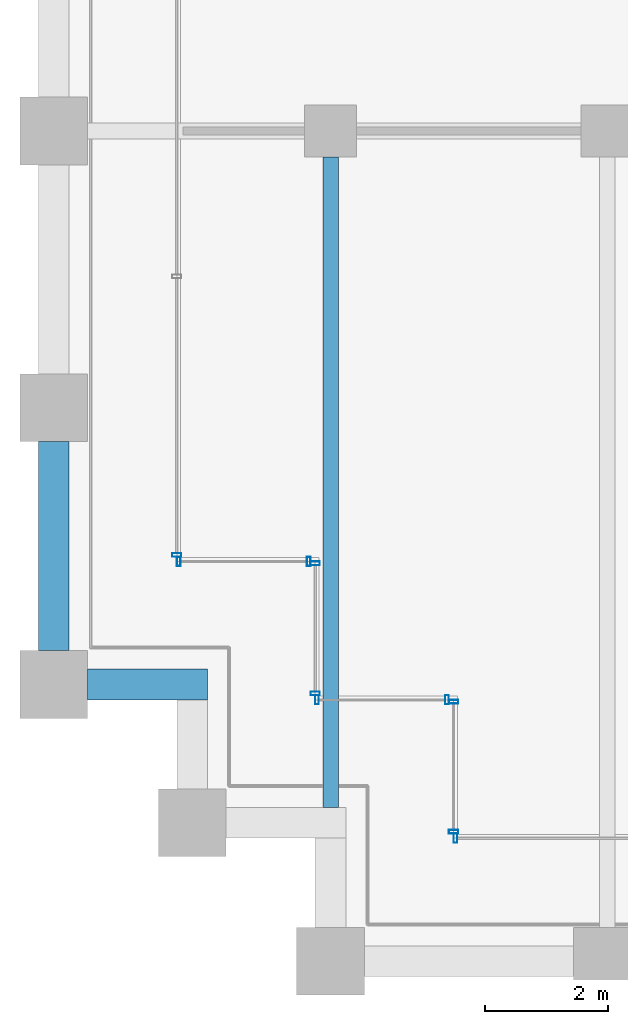
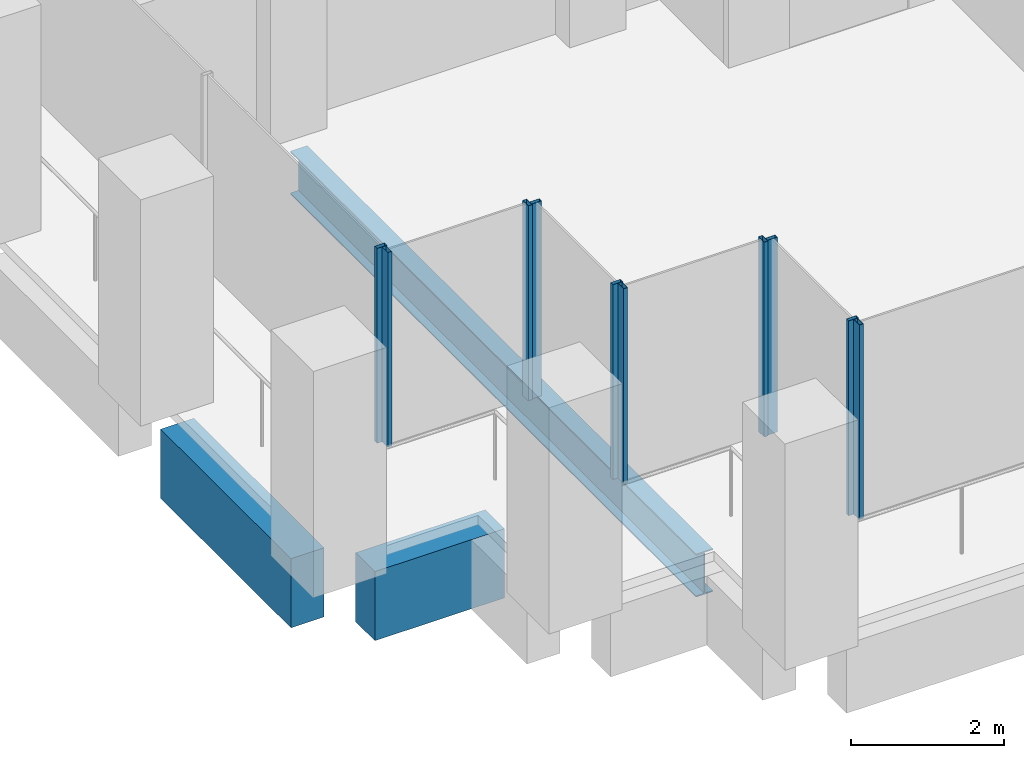
# One storey, part 2 of 56: 10 members, 3 beams, 6 elements without a shape of their own.
"""IFC4 building model written with IfcOpenShell, lengths in metres."""

from ifc_helpers import new_model, si_unit, direction, frame, origin, origin_2d, place, context, subcontext, project, spatial, rectangle, hollow_rectangle, i_section, extrude, material, material_profile, profile_set, type_object, element, aggregate, save


model = new_model("IFC4")

# Units and contexts
model_context = context("Model", 3, precision=1e-05, world=origin(), true_north=direction((0.0, 1.0)))
body_context = subcontext(model_context, "Body", "Model", "MODEL_VIEW")
ifc_project = project(units=[si_unit("LENGTHUNIT", "METRE"), si_unit("AREAUNIT", "SQUARE_METRE"), si_unit("VOLUMEUNIT", "CUBIC_METRE"), si_unit("PLANEANGLEUNIT", "RADIAN"), si_unit("MASSUNIT", "GRAM", prefix="KILO")], contexts=[model_context])

# Site, building, storey
site_placement = place(None, origin())
site = spatial("IfcSite", under=ifc_project, at=site_placement, CompositionType="ELEMENT")
building_placement = place(site_placement, origin())
building = spatial("IfcBuilding", under=site, at=building_placement, Name="Altepetl Exchange Towers", CompositionType="ELEMENT")
storey_placement = place(building_placement, frame((0.0, 0.0, 72.60009765625)))
storey = spatial("IfcBuildingStorey", under=building, at=storey_placement, Name="L17", CompositionType="ELEMENT", Elevation=72.60009765625)

# Beam
ifc_material_1 = material(Name="Steel S355", Category="steel")
ifc_material_profile_1 = material_profile(ifc_material_1, i_section(OverallWidth=0.25390625, OverallDepth=0.68408203125, WebThickness=0.012451171875, FlangeThickness=0.018798828125, at=origin_2d()), Name="W27X94")
ifc_profile_set_1 = profile_set([ifc_material_profile_1], Name="Steel S355")
beam_type_1 = type_object("IfcBeamType", Name="Floor beam W27X94", PredefinedType="BEAM", material=ifc_profile_set_1)
beam_1_placement = place(storey_placement, frame((31.5, 29.5, -0.4921875), z_axis=(0.0, 1.0, 0.0), x_axis=(-1.0, 0.0, 0.0)))
element("IfcBeam", 1, at=beam_1_placement, inside=storey, type_object=beam_type_1, Name="bm:A:L17:012", PredefinedType="BEAM", context=body_context, shape_type="SweptSolid", body=[
    extrude(i_section(OverallWidth=0.25390625, OverallDepth=0.68408203125, WebThickness=0.012451171875, FlangeThickness=0.018798828125, at=origin_2d()), origin(), (0.0, 0.0, 1.0), 10.574951171875),
])

# Curtain wall, member
ifc_material_2 = material(Name="Aluminium 6063-T6 glazing", Category="aluminium")
curtain_wall_type = type_object("IfcCurtainWallType", Name="Loggia glazing system", PredefinedType="NOTDEFINED", material=ifc_material_2)
curtain_wall_1_placement = place(storey_placement, origin())
curtain_wall_1 = element("IfcCurtainWall", 2, at=curtain_wall_1_placement, inside=storey, type_object=curtain_wall_type, Name="CW1 run", PredefinedType="NOTDEFINED")
ifc_material_3 = material(Name="Aluminium 6063-T6", Category="aluminium")
ifc_material_profile_2 = material_profile(ifc_material_3, hollow_rectangle(XDim=0.06005859375, YDim=0.14990234375, WallThickness=0.0029296875, at=origin_2d()), Name="Mullion 60x150 aluminium")
ifc_profile_set_2 = profile_set([ifc_material_profile_2], Name="Aluminium 6063-T6")
member_type = type_object("IfcMemberType", Name="Mullion 60x150 aluminium", PredefinedType="MULLION", material=ifc_profile_set_2)
member_1_placement = place(storey_placement, frame((29.0, 33.60498046875, 0.0), z_axis=(0.0, 0.0, 1.0), x_axis=(0.0, -1.0, 0.0)))
member_1 = element("IfcMember", 3, at=member_1_placement, type_object=member_type, Name="MU1 mullion", PredefinedType="MULLION", context=body_context, shape_type="SweptSolid", body=[
    extrude(hollow_rectangle(XDim=0.06005859375, YDim=0.14990234375, WallThickness=0.0029296875, at=origin_2d()), origin(), (0.0, 0.0, 1.0), 3.099853515625),
])
aggregate(curtain_wall_1, [member_1])

# Curtain wall, members
curtain_wall_2_placement = place(storey_placement, origin())
curtain_wall_2 = element("IfcCurtainWall", 4, at=curtain_wall_2_placement, inside=storey, type_object=curtain_wall_type, Name="CW1 run", PredefinedType="NOTDEFINED")
member_2_placement = place(storey_placement, frame((29.030029296875, 33.5, 0.0)))
member_2 = element("IfcMember", 5, at=member_2_placement, type_object=member_type, Name="MU1 mullion", PredefinedType="MULLION", context=body_context, shape_type="SweptSolid", body=[
    extrude(hollow_rectangle(XDim=0.06005859375, YDim=0.14990234375, WallThickness=0.0029296875, at=origin_2d()), origin(), (0.0, 0.0, 1.0), 3.099853515625),
])
member_3_placement = place(storey_placement, frame((31.14501953125, 33.5, 0.0)))
member_3 = element("IfcMember", 6, at=member_3_placement, type_object=member_type, Name="MU1 mullion", PredefinedType="MULLION", context=body_context, shape_type="SweptSolid", body=[
    extrude(hollow_rectangle(XDim=0.06005859375, YDim=0.14990234375, WallThickness=0.0029296875, at=origin_2d()), origin(), (0.0, 0.0, 1.0), 3.099853515625),
])
aggregate(curtain_wall_2, [member_2, member_3])

curtain_wall_3_placement = place(storey_placement, origin())
curtain_wall_3 = element("IfcCurtainWall", 7, at=curtain_wall_3_placement, inside=storey, type_object=curtain_wall_type, Name="CW1 run", PredefinedType="NOTDEFINED")
member_4_placement = place(storey_placement, frame((31.25, 33.469970703125, 0.0), z_axis=(0.0, 0.0, 1.0), x_axis=(0.0, -1.0, 0.0)))
member_4 = element("IfcMember", 8, at=member_4_placement, type_object=member_type, Name="MU1 mullion", PredefinedType="MULLION", context=body_context, shape_type="SweptSolid", body=[
    extrude(hollow_rectangle(XDim=0.06005859375, YDim=0.14990234375, WallThickness=0.0029296875, at=origin_2d()), origin(), (0.0, 0.0, 1.0), 3.099853515625),
])
member_5_placement = place(storey_placement, frame((31.25, 31.35498046875, 0.0), z_axis=(0.0, 0.0, 1.0), x_axis=(0.0, -1.0, 0.0)))
member_5 = element("IfcMember", 9, at=member_5_placement, type_object=member_type, Name="MU1 mullion", PredefinedType="MULLION", context=body_context, shape_type="SweptSolid", body=[
    extrude(hollow_rectangle(XDim=0.06005859375, YDim=0.14990234375, WallThickness=0.0029296875, at=origin_2d()), origin(), (0.0, 0.0, 1.0), 3.099853515625),
])
aggregate(curtain_wall_3, [member_4, member_5])

curtain_wall_4_placement = place(storey_placement, origin())
curtain_wall_4 = element("IfcCurtainWall", 10, at=curtain_wall_4_placement, inside=storey, type_object=curtain_wall_type, Name="CW1 run", PredefinedType="NOTDEFINED")
member_6_placement = place(storey_placement, frame((31.280029296875, 31.25, 0.0)))
member_6 = element("IfcMember", 11, at=member_6_placement, type_object=member_type, Name="MU1 mullion", PredefinedType="MULLION", context=body_context, shape_type="SweptSolid", body=[
    extrude(hollow_rectangle(XDim=0.06005859375, YDim=0.14990234375, WallThickness=0.0029296875, at=origin_2d()), origin(), (0.0, 0.0, 1.0), 3.099853515625),
])
member_7_placement = place(storey_placement, frame((33.39501953125, 31.25, 0.0)))
member_7 = element("IfcMember", 12, at=member_7_placement, type_object=member_type, Name="MU1 mullion", PredefinedType="MULLION", context=body_context, shape_type="SweptSolid", body=[
    extrude(hollow_rectangle(XDim=0.06005859375, YDim=0.14990234375, WallThickness=0.0029296875, at=origin_2d()), origin(), (0.0, 0.0, 1.0), 3.099853515625),
])
aggregate(curtain_wall_4, [member_6, member_7])

curtain_wall_5_placement = place(storey_placement, origin())
curtain_wall_5 = element("IfcCurtainWall", 13, at=curtain_wall_5_placement, inside=storey, type_object=curtain_wall_type, Name="CW1 run", PredefinedType="NOTDEFINED")
member_8_placement = place(storey_placement, frame((33.5, 31.219970703125, 0.0), z_axis=(0.0, 0.0, 1.0), x_axis=(0.0, -1.0, 0.0)))
member_8 = element("IfcMember", 14, at=member_8_placement, type_object=member_type, Name="MU1 mullion", PredefinedType="MULLION", context=body_context, shape_type="SweptSolid", body=[
    extrude(hollow_rectangle(XDim=0.06005859375, YDim=0.14990234375, WallThickness=0.0029296875, at=origin_2d()), origin(), (0.0, 0.0, 1.0), 3.099853515625),
])
member_9_placement = place(storey_placement, frame((33.5, 29.10498046875, 0.0), z_axis=(0.0, 0.0, 1.0), x_axis=(0.0, -1.0, 0.0)))
member_9 = element("IfcMember", 15, at=member_9_placement, type_object=member_type, Name="MU1 mullion", PredefinedType="MULLION", context=body_context, shape_type="SweptSolid", body=[
    extrude(hollow_rectangle(XDim=0.06005859375, YDim=0.14990234375, WallThickness=0.0029296875, at=origin_2d()), origin(), (0.0, 0.0, 1.0), 3.099853515625),
])
aggregate(curtain_wall_5, [member_8, member_9])

# Curtain wall, member
curtain_wall_6_placement = place(storey_placement, origin())
curtain_wall_6 = element("IfcCurtainWall", 16, at=curtain_wall_6_placement, inside=storey, type_object=curtain_wall_type, Name="CW1 run", PredefinedType="NOTDEFINED")
member_10_placement = place(storey_placement, frame((33.530029296875, 29.0, 0.0)))
member_10 = element("IfcMember", 17, at=member_10_placement, type_object=member_type, Name="MU1 mullion", PredefinedType="MULLION", context=body_context, shape_type="SweptSolid", body=[
    extrude(hollow_rectangle(XDim=0.06005859375, YDim=0.14990234375, WallThickness=0.0029296875, at=origin_2d()), origin(), (0.0, 0.0, 1.0), 3.099853515625),
])
aggregate(curtain_wall_6, [member_10])

# Beams
ifc_material_4 = material(Name="Concrete C50/60 precast with cantera blanca facing", Category="concrete")
ifc_material_profile_3 = material_profile(ifc_material_4, rectangle(XDim=0.5, YDim=1.10009765625, at=origin_2d()), Name="500 x 1100")
ifc_profile_set_3 = profile_set([ifc_material_profile_3], Name="Concrete C50/60 precast with cantera blanca facing")
beam_type_2 = type_object("IfcBeamType", Name="Spandrel beam 500x1100 cantera blanca", PredefinedType="SPANDREL", material=ifc_profile_set_3)
beam_2_placement = place(storey_placement, frame((27.0, 35.449951171875, -0.7001953125), z_axis=(0.0, -1.0, 0.0), x_axis=(1.0, 0.0, 0.0)))
element("IfcBeam", 18, at=beam_2_placement, inside=storey, type_object=beam_type_2, Name="sp:A:L17:043", PredefinedType="SPANDREL", context=body_context, shape_type="SweptSolid", body=[
    extrude(rectangle(XDim=0.5, YDim=1.10009765625, at=origin_2d()), origin(), (0.0, 0.0, 1.0), 3.39990234375),
])
beam_3_placement = place(storey_placement, frame((27.550048828125, 31.5, -0.7001953125), z_axis=(1.0, 0.0, 0.0), x_axis=(0.0, 1.0, 0.0)))
element("IfcBeam", 19, at=beam_3_placement, inside=storey, type_object=beam_type_2, Name="sp:A:L17:044", PredefinedType="SPANDREL", context=body_context, shape_type="SweptSolid", body=[
    extrude(rectangle(XDim=0.5, YDim=1.10009765625, at=origin_2d()), origin(), (0.0, 0.0, 1.0), 1.949951171875),
])

save(model, "model.ifc")
